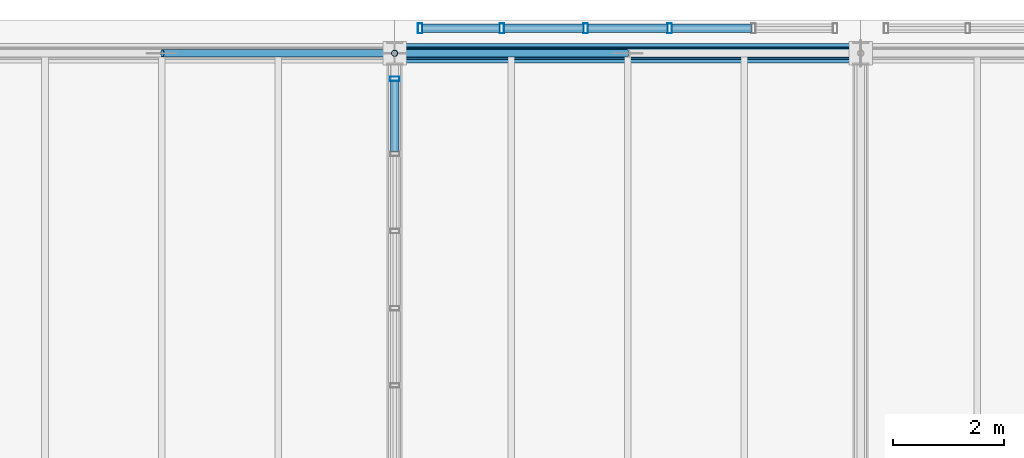
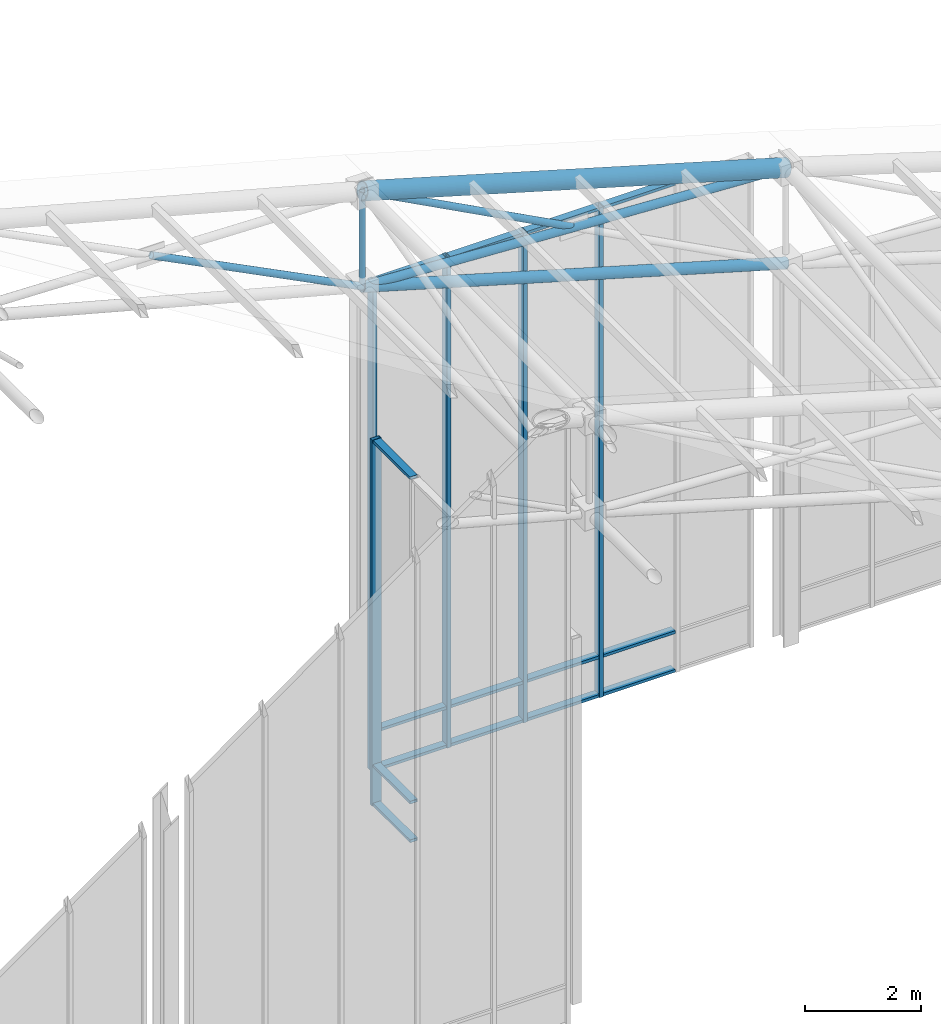
# One storey, part 80 of 144: 26 members, 2 elements without a shape of their own.
"""IFC4 building model written with IfcOpenShell, lengths in metres."""

from ifc_helpers import new_model, si_unit, direction, frame, origin, origin_2d, place, context, subcontext, project, spatial, hollow_rectangle, hollow_circle, extrude, material, layer, layer_set, material_profile, profile_set, type_object, element, aggregate, save


model = new_model("IFC4")

# Units and contexts
model_context = context("Model", 3, precision=1e-05, world=origin(), true_north=direction((0.0, 1.0)))
body_context = subcontext(model_context, "Body", "Model", "MODEL_VIEW")
ifc_project = project(units=[si_unit("LENGTHUNIT", "METRE"), si_unit("AREAUNIT", "SQUARE_METRE"), si_unit("VOLUMEUNIT", "CUBIC_METRE"), si_unit("PLANEANGLEUNIT", "RADIAN"), si_unit("MASSUNIT", "GRAM", prefix="KILO")], contexts=[model_context])

# Site, building, storey
site_placement = place(None, origin())
site = spatial("IfcSite", under=ifc_project, at=site_placement, CompositionType="ELEMENT")
building_placement = place(site_placement, origin())
building = spatial("IfcBuilding", under=site, at=building_placement, Name="Zayran Congress Hotel", CompositionType="ELEMENT")
storey_placement = place(building_placement, frame((0.0, 0.0, 19.199951171875)))
storey = spatial("IfcBuildingStorey", under=building, at=storey_placement, Name="L04", CompositionType="ELEMENT", Elevation=19.199951171875)

# Members
ifc_material_1 = material(Name="Steel S355", Category="steel")
ifc_material_profile_1 = material_profile(ifc_material_1, hollow_circle(Radius=0.177734375, WallThickness=0.01611328125, at=origin_2d()), Name="CHS 355.6x16")
ifc_profile_set_1 = profile_set([ifc_material_profile_1], Name="Steel S355")
member_type_1 = type_object("IfcMemberType", Name="TP-SF-TC1", PredefinedType="CHORD", material=ifc_profile_set_1)
member_1_placement = place(storey_placement, frame((58.800048828125, 117.39990234375, 12.35205078125), z_axis=(0.960000625005, 0.0, -0.279997857116), x_axis=(0.0, 1.0, 0.0)))
element("IfcMember", 1, at=member_1_placement, inside=storey, type_object=member_type_1, Name="Space Frame Top Chord X 379", PredefinedType="CHORD", context=body_context, shape_type="SweptSolid", body=[
    extrude(hollow_circle(Radius=0.177734375, WallThickness=0.01611328125, at=origin_2d()), origin(), (0.0, 0.0, 1.0), 8.75),
])
ifc_material_profile_2 = material_profile(ifc_material_1, hollow_circle(Radius=0.109619140625, WallThickness=0.010009765625, at=origin_2d()), Name="CHS 219.1x10")
ifc_profile_set_2 = profile_set([ifc_material_profile_2], Name="Steel S355")
member_type_2 = type_object("IfcMemberType", Name="TP-SF-BC1", PredefinedType="CHORD", material=ifc_profile_set_2)
member_2_placement = place(storey_placement, frame((58.800048828125, 117.39990234375, 10.35009765625), z_axis=(0.960000625005, 0.0, -0.279997857116), x_axis=(0.0, 1.0, 0.0)))
element("IfcMember", 2, at=member_2_placement, inside=storey, type_object=member_type_2, Name="Space Frame Bottom Chord X 380", PredefinedType="CHORD", context=body_context, shape_type="SweptSolid", body=[
    extrude(hollow_circle(Radius=0.109619140625, WallThickness=0.010009765625, at=origin_2d()), origin(), (0.0, 0.0, 1.0), 8.75),
])
ifc_material_profile_3 = material_profile(ifc_material_1, hollow_circle(Radius=0.084228515625, WallThickness=0.008056640625, at=origin_2d()), Name="CHS 168.3x8")
ifc_profile_set_3 = profile_set([ifc_material_profile_3], Name="Steel S355")
member_type_3 = type_object("IfcMemberType", Name="TP-SF-DG1", PredefinedType="BRACE", material=ifc_profile_set_3)
member_3_placement = place(storey_placement, frame((58.800048828125, 117.39990234375, 10.35009765625), z_axis=(0.998580784097, 0.0, -0.053258028798), x_axis=(0.0, 1.0, 0.0)))
element("IfcMember", 3, at=member_3_placement, inside=storey, type_object=member_type_3, Name="Space Frame Web Diagonal X 381", PredefinedType="BRACE", context=body_context, shape_type="SweptSolid", body=[
    extrude(hollow_circle(Radius=0.084228515625, WallThickness=0.008056640625, at=origin_2d()), origin(), (0.0, 0.0, 1.0), 8.411865234375),
])
ifc_material_profile_4 = material_profile(ifc_material_1, hollow_circle(Radius=0.06982421875, WallThickness=0.00634765625, at=origin_2d()), Name="CHS 139.7x6.3")
ifc_profile_set_4 = profile_set([ifc_material_profile_4], Name="Steel S355")
member_type_4 = type_object("IfcMemberType", Name="TP-SF-DG2", PredefinedType="BRACE", material=ifc_profile_set_4)
member_4_placement = place(storey_placement, frame((54.61328125, 117.39990234375, 12.46923828125), z_axis=(0.892220848392, 0.0, -0.451599333142), x_axis=(0.0, 1.0, 0.0)))
element("IfcMember", 4, at=member_4_placement, inside=storey, type_object=member_type_4, Name="Space Frame Counter Diagonal X Lower 54", PredefinedType="BRACE", context=body_context, shape_type="SweptSolid", body=[
    extrude(hollow_circle(Radius=0.06982421875, WallThickness=0.00634765625, at=origin_2d()), origin(), (0.0, 0.0, 1.0), 4.692626953125),
])
member_5_placement = place(storey_placement, frame((58.800048828125, 117.39990234375, 12.35205078125), z_axis=(0.883572260403, 0.0, -0.468294843711), x_axis=(0.0, 1.0, 0.0)))
element("IfcMember", 5, at=member_5_placement, inside=storey, type_object=member_type_4, Name="Space Frame Counter Diagonal X Upper 382", PredefinedType="BRACE", context=body_context, shape_type="SweptSolid", body=[
    extrude(hollow_circle(Radius=0.06982421875, WallThickness=0.00634765625, at=origin_2d()), origin(), (0.0, 0.0, 1.0), 4.738525390625),
])
ifc_material_profile_5 = material_profile(ifc_material_1, hollow_circle(Radius=0.05712890625, WallThickness=0.00634765625, at=origin_2d()), Name="CHS 114.3x6.3")
ifc_profile_set_5 = profile_set([ifc_material_profile_5], Name="Steel S355")
member_type_5 = type_object("IfcMemberType", Name="TP-SF-DG3", PredefinedType="BRACE", material=ifc_profile_set_5)
member_6_placement = place(storey_placement, frame((58.800048828125, 117.39990234375, 10.35009765625), z_axis=(0.0, 0.0, 1.0), x_axis=(0.0, 1.0, 0.0)))
element("IfcMember", 6, at=member_6_placement, inside=storey, type_object=member_type_5, Name="Space Frame Web Strut 383", PredefinedType="BRACE", context=body_context, shape_type="SweptSolid", body=[
    extrude(hollow_circle(Radius=0.05712890625, WallThickness=0.00634765625, at=origin_2d()), origin(), (0.0, 0.0, 1.0), 2.001953125),
])

# Curtain wall, members
ifc_material_2 = material(Name="Anodised aluminium and low-E insulated glass", Category="aluminium")
ifc_layer_1 = layer(ifc_material_2, 0.179931640625)
ifc_layer_set_1 = layer_set([ifc_layer_1], Name="Anodised aluminium and low-E insulated glass")
curtain_wall_type_1 = type_object("IfcCurtainWallType", Name="CW-V1CL-L04-CW-21-7560-10270", PredefinedType="USERDEFINED", material=ifc_layer_set_1)
curtain_wall_1_placement = place(storey_placement, origin())
curtain_wall_1 = element("IfcCurtainWall", 7, at=curtain_wall_1_placement, inside=storey, type_object=curtain_wall_type_1, Name="CW-V1CLN-6", ObjectType="CURTAIN WALL", PredefinedType="USERDEFINED")
ifc_material_3 = material(Name="Anodised aluminium framing", Category="aluminium")
ifc_material_profile_6 = material_profile(ifc_material_3, hollow_rectangle(XDim=0.080078125, YDim=0.179931640625, WallThickness=0.0048828125, at=origin_2d()), Name="RHS 180x80x5")
ifc_profile_set_6 = profile_set([ifc_material_profile_6], Name="Anodised aluminium framing")
member_type_6 = type_object("IfcMemberType", Name="TP-CWM-01", PredefinedType="MULLION", material=ifc_profile_set_6)
member_7_placement = place(storey_placement, frame((63.756103515625, 117.85009765625, -0.219970703125), z_axis=(0.0, 0.0, 1.0), x_axis=(1.0, 0.0, 0.0)))
member_7 = element("IfcMember", 8, at=member_7_placement, type_object=member_type_6, Name="CW-V1CLN-6-M02", PredefinedType="MULLION", context=body_context, shape_type="SweptSolid", body=[
    extrude(hollow_rectangle(XDim=0.080078125, YDim=0.179931640625, WallThickness=0.0048828125, at=origin_2d()), origin(), (0.0, 0.0, 1.0), 10.27001953125),
])
member_8_placement = place(storey_placement, frame((62.243896484375, 117.85009765625, -0.219970703125), z_axis=(0.0, 0.0, 1.0), x_axis=(1.0, 0.0, 0.0)))
member_8 = element("IfcMember", 9, at=member_8_placement, type_object=member_type_6, Name="CW-V1CLN-6-M03", PredefinedType="MULLION", context=body_context, shape_type="SweptSolid", body=[
    extrude(hollow_rectangle(XDim=0.080078125, YDim=0.179931640625, WallThickness=0.0048828125, at=origin_2d()), origin(), (0.0, 0.0, 1.0), 10.27001953125),
])
member_9_placement = place(storey_placement, frame((60.73193359375, 117.85009765625, -0.219970703125), z_axis=(0.0, 0.0, 1.0), x_axis=(1.0, 0.0, 0.0)))
member_9 = element("IfcMember", 10, at=member_9_placement, type_object=member_type_6, Name="CW-V1CLN-6-M04", PredefinedType="MULLION", context=body_context, shape_type="SweptSolid", body=[
    extrude(hollow_rectangle(XDim=0.080078125, YDim=0.179931640625, WallThickness=0.0048828125, at=origin_2d()), origin(), (0.0, 0.0, 1.0), 10.27001953125),
])
member_10_placement = place(storey_placement, frame((59.260009765625, 117.85009765625, -0.219970703125), z_axis=(0.0, 0.0, 1.0), x_axis=(1.0, 0.0, 0.0)))
member_10 = element("IfcMember", 11, at=member_10_placement, type_object=member_type_6, Name="CW-V1CLN-6-M05", PredefinedType="MULLION", context=body_context, shape_type="SweptSolid", body=[
    extrude(hollow_rectangle(XDim=0.080078125, YDim=0.179931640625, WallThickness=0.0048828125, at=origin_2d()), origin(), (0.0, 0.0, 1.0), 10.27001953125),
])

# Curtain wall, member
ifc_layer_2 = layer(ifc_material_2, 0.179931640625)
ifc_layer_set_2 = layer_set([ifc_layer_2], Name="Anodised aluminium and low-E insulated glass")
curtain_wall_type_2 = type_object("IfcCurtainWallType", Name="CW-V1CL-L04-CW-25-6960-7670", PredefinedType="USERDEFINED", material=ifc_layer_set_2)
curtain_wall_2_placement = place(storey_placement, origin())
curtain_wall_2 = element("IfcCurtainWall", 12, at=curtain_wall_2_placement, inside=storey, type_object=curtain_wall_type_2, Name="CW-V1CLNE", ObjectType="CURTAIN WALL", PredefinedType="USERDEFINED")
member_11_placement = place(storey_placement, frame((58.800048828125, 116.93994140625, -0.219970703125), z_axis=(0.0, 0.0, 1.0), x_axis=(0.0, 1.0, 0.0)))
member_11 = element("IfcMember", 13, at=member_11_placement, type_object=member_type_6, Name="CW-V1CLNE-M00", PredefinedType="MULLION", context=body_context, shape_type="SweptSolid", body=[
    extrude(hollow_rectangle(XDim=0.080078125, YDim=0.179931640625, WallThickness=0.0048828125, at=origin_2d()), origin(), (0.0, 0.0, 1.0), 7.669921875),
])

# Member
ifc_material_profile_7 = material_profile(ifc_material_3, hollow_rectangle(XDim=0.06005859375, YDim=0.14990234375, WallThickness=0.00390625, at=origin_2d()), Name="RHS 150x60x4")
ifc_profile_set_7 = profile_set([ifc_material_profile_7], Name="Anodised aluminium framing")
member_type_7 = type_object("IfcMemberType", Name="TP-CWT-01", PredefinedType="USERDEFINED", material=ifc_profile_set_7)
member_12_placement = place(storey_placement, frame((65.22802734375, 117.85009765625, -0.18994140625), z_axis=(-1.0, 0.0, 0.0), x_axis=(0.0, 0.0, 1.0)))
member_12 = element("IfcMember", 14, at=member_12_placement, type_object=member_type_7, Name="CW-V1CLN-6-T01-0", ObjectType="TRANSOM", PredefinedType="USERDEFINED", context=body_context, shape_type="SweptSolid", body=[
    extrude(hollow_rectangle(XDim=0.06005859375, YDim=0.14990234375, WallThickness=0.00390625, at=origin_2d()), origin(), (0.0, 0.0, 1.0), 1.43212890625),
])

member_13_placement = place(storey_placement, frame((65.22802734375, 117.85009765625, 0.6201171875), z_axis=(-1.0, 0.0, 0.0), x_axis=(0.0, 0.0, 1.0)))
member_13 = element("IfcMember", 15, at=member_13_placement, type_object=member_type_7, Name="CW-V1CLN-6-T01-1", ObjectType="TRANSOM", PredefinedType="USERDEFINED", context=body_context, shape_type="SweptSolid", body=[
    extrude(hollow_rectangle(XDim=0.06005859375, YDim=0.14990234375, WallThickness=0.00390625, at=origin_2d()), origin(), (0.0, 0.0, 1.0), 1.43212890625),
])

member_14_placement = place(storey_placement, frame((65.22802734375, 117.85009765625, 10.02001953125), z_axis=(-1.0, 0.0, 0.0), x_axis=(0.0, 0.0, 1.0)))
member_14 = element("IfcMember", 16, at=member_14_placement, type_object=member_type_7, Name="CW-V1CLN-6-T01-2", ObjectType="TRANSOM", PredefinedType="USERDEFINED", context=body_context, shape_type="SweptSolid", body=[
    extrude(hollow_rectangle(XDim=0.06005859375, YDim=0.14990234375, WallThickness=0.00390625, at=origin_2d()), origin(), (0.0, 0.0, 1.0), 1.43212890625),
])

member_15_placement = place(storey_placement, frame((63.716064453125, 117.85009765625, -0.18994140625), z_axis=(-1.0, 0.0, 0.0), x_axis=(0.0, 0.0, 1.0)))
member_15 = element("IfcMember", 17, at=member_15_placement, type_object=member_type_7, Name="CW-V1CLN-6-T02-0", ObjectType="TRANSOM", PredefinedType="USERDEFINED", context=body_context, shape_type="SweptSolid", body=[
    extrude(hollow_rectangle(XDim=0.06005859375, YDim=0.14990234375, WallThickness=0.00390625, at=origin_2d()), origin(), (0.0, 0.0, 1.0), 1.43212890625),
])

member_16_placement = place(storey_placement, frame((63.716064453125, 117.85009765625, 0.6201171875), z_axis=(-1.0, 0.0, 0.0), x_axis=(0.0, 0.0, 1.0)))
member_16 = element("IfcMember", 18, at=member_16_placement, type_object=member_type_7, Name="CW-V1CLN-6-T02-1", ObjectType="TRANSOM", PredefinedType="USERDEFINED", context=body_context, shape_type="SweptSolid", body=[
    extrude(hollow_rectangle(XDim=0.06005859375, YDim=0.14990234375, WallThickness=0.00390625, at=origin_2d()), origin(), (0.0, 0.0, 1.0), 1.43212890625),
])

member_17_placement = place(storey_placement, frame((63.716064453125, 117.85009765625, 10.02001953125), z_axis=(-1.0, 0.0, 0.0), x_axis=(0.0, 0.0, 1.0)))
member_17 = element("IfcMember", 19, at=member_17_placement, type_object=member_type_7, Name="CW-V1CLN-6-T02-2", ObjectType="TRANSOM", PredefinedType="USERDEFINED", context=body_context, shape_type="SweptSolid", body=[
    extrude(hollow_rectangle(XDim=0.06005859375, YDim=0.14990234375, WallThickness=0.00390625, at=origin_2d()), origin(), (0.0, 0.0, 1.0), 1.43212890625),
])

member_18_placement = place(storey_placement, frame((62.2041015625, 117.85009765625, -0.18994140625), z_axis=(-1.0, 0.0, 0.0), x_axis=(0.0, 0.0, 1.0)))
member_18 = element("IfcMember", 20, at=member_18_placement, type_object=member_type_7, Name="CW-V1CLN-6-T03-0", ObjectType="TRANSOM", PredefinedType="USERDEFINED", context=body_context, shape_type="SweptSolid", body=[
    extrude(hollow_rectangle(XDim=0.06005859375, YDim=0.14990234375, WallThickness=0.00390625, at=origin_2d()), origin(), (0.0, 0.0, 1.0), 1.43212890625),
])

member_19_placement = place(storey_placement, frame((62.2041015625, 117.85009765625, 0.6201171875), z_axis=(-1.0, 0.0, 0.0), x_axis=(0.0, 0.0, 1.0)))
member_19 = element("IfcMember", 21, at=member_19_placement, type_object=member_type_7, Name="CW-V1CLN-6-T03-1", ObjectType="TRANSOM", PredefinedType="USERDEFINED", context=body_context, shape_type="SweptSolid", body=[
    extrude(hollow_rectangle(XDim=0.06005859375, YDim=0.14990234375, WallThickness=0.00390625, at=origin_2d()), origin(), (0.0, 0.0, 1.0), 1.43212890625),
])

member_20_placement = place(storey_placement, frame((62.2041015625, 117.85009765625, 10.02001953125), z_axis=(-1.0, 0.0, 0.0), x_axis=(0.0, 0.0, 1.0)))
member_20 = element("IfcMember", 22, at=member_20_placement, type_object=member_type_7, Name="CW-V1CLN-6-T03-2", ObjectType="TRANSOM", PredefinedType="USERDEFINED", context=body_context, shape_type="SweptSolid", body=[
    extrude(hollow_rectangle(XDim=0.06005859375, YDim=0.14990234375, WallThickness=0.00390625, at=origin_2d()), origin(), (0.0, 0.0, 1.0), 1.43212890625),
])

member_21_placement = place(storey_placement, frame((60.69189453125, 117.85009765625, -0.18994140625), z_axis=(-1.0, 0.0, 0.0), x_axis=(0.0, 0.0, 1.0)))
member_21 = element("IfcMember", 23, at=member_21_placement, type_object=member_type_7, Name="CW-V1CLN-6-T04-0", ObjectType="TRANSOM", PredefinedType="USERDEFINED", context=body_context, shape_type="SweptSolid", body=[
    extrude(hollow_rectangle(XDim=0.06005859375, YDim=0.14990234375, WallThickness=0.00390625, at=origin_2d()), origin(), (0.0, 0.0, 1.0), 1.391845703125),
])

member_22_placement = place(storey_placement, frame((60.69189453125, 117.85009765625, 0.6201171875), z_axis=(-1.0, 0.0, 0.0), x_axis=(0.0, 0.0, 1.0)))
member_22 = element("IfcMember", 24, at=member_22_placement, type_object=member_type_7, Name="CW-V1CLN-6-T04-1", ObjectType="TRANSOM", PredefinedType="USERDEFINED", context=body_context, shape_type="SweptSolid", body=[
    extrude(hollow_rectangle(XDim=0.06005859375, YDim=0.14990234375, WallThickness=0.00390625, at=origin_2d()), origin(), (0.0, 0.0, 1.0), 1.391845703125),
])

member_23_placement = place(storey_placement, frame((60.69189453125, 117.85009765625, 10.02001953125), z_axis=(-1.0, 0.0, 0.0), x_axis=(0.0, 0.0, 1.0)))
member_23 = element("IfcMember", 25, at=member_23_placement, type_object=member_type_7, Name="CW-V1CLN-6-T04-2", ObjectType="TRANSOM", PredefinedType="USERDEFINED", context=body_context, shape_type="SweptSolid", body=[
    extrude(hollow_rectangle(XDim=0.06005859375, YDim=0.14990234375, WallThickness=0.00390625, at=origin_2d()), origin(), (0.0, 0.0, 1.0), 1.391845703125),
])

aggregate(curtain_wall_1, [member_7, member_8, member_9, member_10, member_12, member_13, member_14, member_15, member_16, member_17, member_18, member_19, member_20, member_21, member_22, member_23])

member_24_placement = place(storey_placement, frame((58.800048828125, 116.89990234375, -0.18994140625), z_axis=(0.0, -1.0, 0.0), x_axis=(0.0, 0.0, 1.0)))
member_24 = element("IfcMember", 26, at=member_24_placement, type_object=member_type_7, Name="CW-V1CLNE-T00-0", ObjectType="TRANSOM", PredefinedType="USERDEFINED", context=body_context, shape_type="SweptSolid", body=[
    extrude(hollow_rectangle(XDim=0.06005859375, YDim=0.14990234375, WallThickness=0.00390625, at=origin_2d()), origin(), (0.0, 0.0, 1.0), 1.27197265625),
])

member_25_placement = place(storey_placement, frame((58.800048828125, 116.89990234375, 0.6201171875), z_axis=(0.0, -1.0, 0.0), x_axis=(0.0, 0.0, 1.0)))
member_25 = element("IfcMember", 27, at=member_25_placement, type_object=member_type_7, Name="CW-V1CLNE-T00-1", ObjectType="TRANSOM", PredefinedType="USERDEFINED", context=body_context, shape_type="SweptSolid", body=[
    extrude(hollow_rectangle(XDim=0.06005859375, YDim=0.14990234375, WallThickness=0.00390625, at=origin_2d()), origin(), (0.0, 0.0, 1.0), 1.27197265625),
])

member_26_placement = place(storey_placement, frame((58.800048828125, 116.89990234375, 7.420166015625), z_axis=(0.0, -1.0, 0.0), x_axis=(0.0, 0.0, 1.0)))
member_26 = element("IfcMember", 28, at=member_26_placement, type_object=member_type_7, Name="CW-V1CLNE-T00-2", ObjectType="TRANSOM", PredefinedType="USERDEFINED", context=body_context, shape_type="SweptSolid", body=[
    extrude(hollow_rectangle(XDim=0.06005859375, YDim=0.14990234375, WallThickness=0.00390625, at=origin_2d()), origin(), (0.0, 0.0, 1.0), 1.27197265625),
])

aggregate(curtain_wall_2, [member_11, member_24, member_25, member_26])

save(model, "model.ifc")
